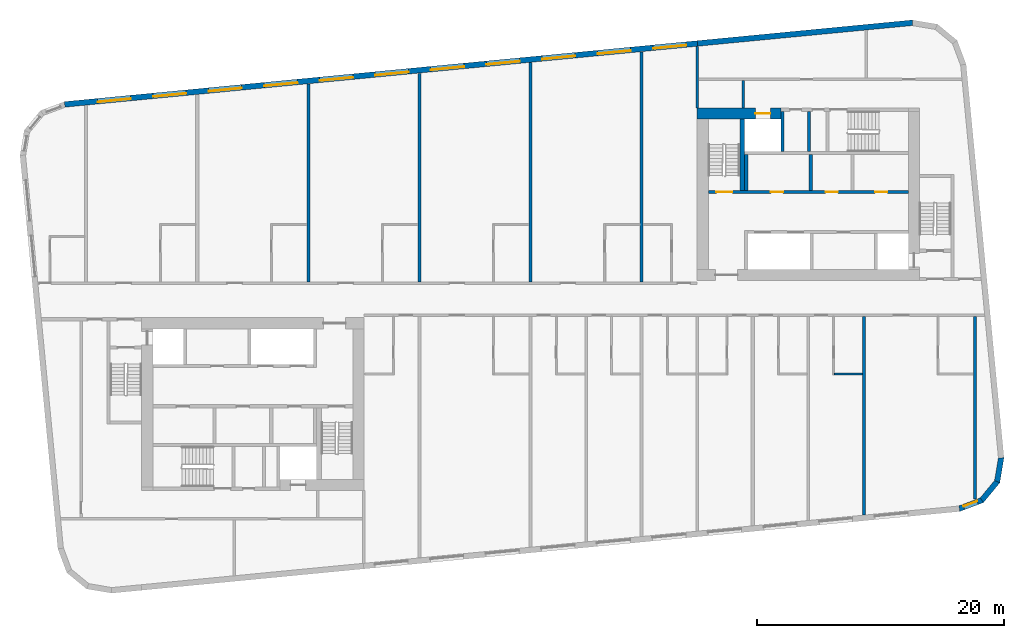
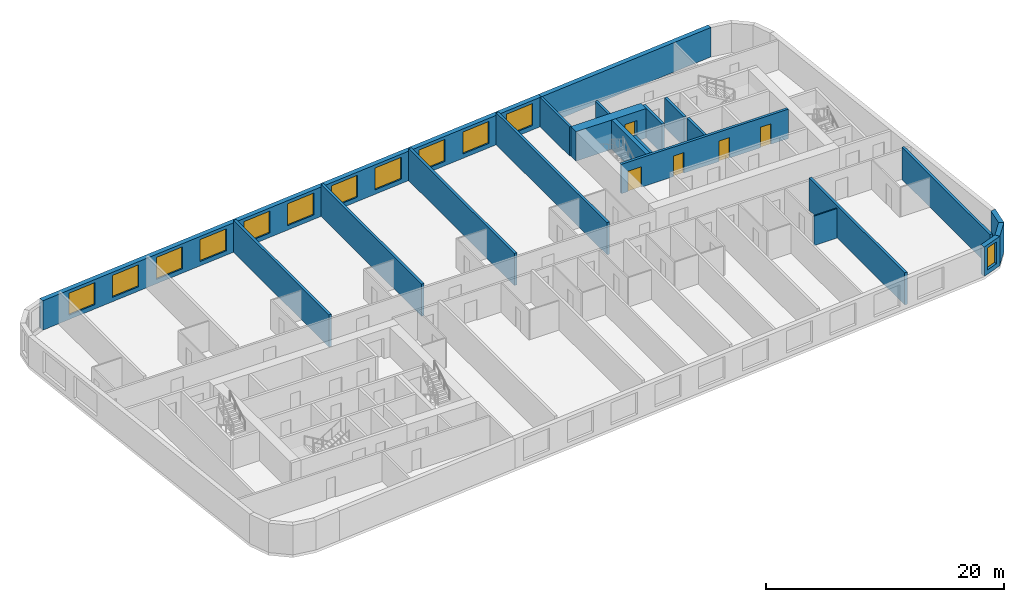
# One storey, part 6 of 11: 21 walls, 12 windows, 5 doors, 17 openings.
"""IFC4 building model written with IfcOpenShell, lengths in metres."""

from ifc_helpers import new_model, si_unit, direction, frame, frame_2d, origin, place, context, subcontext, project, spatial, polyline, rectangle, outline, extrude, material, layer, layer_set, type_object, element, fill, save


model = new_model("IFC4")

# Units and contexts
model_context = context("Model", 3, precision=1e-05, world=origin(), true_north=direction((0.0, 1.0)))
body_context = subcontext(model_context, "Body", "Model", "MODEL_VIEW")
ifc_project = project(units=[si_unit("LENGTHUNIT", "METRE"), si_unit("AREAUNIT", "SQUARE_METRE"), si_unit("VOLUMEUNIT", "CUBIC_METRE"), si_unit("PLANEANGLEUNIT", "RADIAN"), si_unit("MASSUNIT", "GRAM", prefix="KILO")], contexts=[model_context])

# Site, building, storey
site_placement = place(None, origin())
site = spatial("IfcSite", under=ifc_project, at=site_placement, CompositionType="ELEMENT")
building_placement = place(site_placement, origin())
building = spatial("IfcBuilding", under=site, at=building_placement, Name="Kajstack Hotel Tower", CompositionType="ELEMENT")
storey_placement = place(building_placement, frame((0.0, 0.0, 281.699951171875)))
storey = spatial("IfcBuildingStorey", under=building, at=storey_placement, Name="L70", CompositionType="ELEMENT", Elevation=281.699951171875)

# Wall, opening, door
ifc_material_1 = material(Name="Concrete C60/75", Category="concrete")
ifc_layer_1 = layer(ifc_material_1, 0.89990234375)
ifc_layer_set_1 = layer_set([ifc_layer_1], Name="Core wall 900")
wall_type_1 = type_object("IfcWallType", Name="Core wall 900", PredefinedType="SHEAR", material=ifc_layer_set_1)
wall_1_placement = place(storey_placement, frame((13.5, 15.050048828125, 0.0), z_axis=(0.0, 0.0, 1.0), x_axis=(1.0, 0.0, 0.0)))
wall_1 = element("IfcWall", 1, at=wall_1_placement, inside=storey, type_object=wall_type_1, Name="Core wall E RS", PredefinedType="SHEAR", context=body_context, shape_type="SweptSolid", body=[
    extrude(rectangle(XDim=6.800048828125, YDim=0.89990234375, at=frame_2d((3.39990234375, 0.0))), origin(), (0.0, 0.0, 1.0), 3.02001953125),
])
opening_1_placement = place(wall_1_placement, frame((4.72509765625, 0.0, 0.0)))
opening_1 = element("IfcOpeningElement", 2, at=opening_1_placement, cuts=wall_1, Name="Opening LD-SV2", PredefinedType="OPENING", context=body_context, shape_type="SweptSolid", body=[
    extrude(rectangle(XDim=1.199951171875, YDim=2.10009765625, at=frame_2d((0.60009765625, 1.050048828125))), frame((0.0, 0.4599609375, 0.0), z_axis=(0.0, -1.0, 0.0), x_axis=(1.0, 0.0, 0.0)), (0.0, 0.0, 1.0), 0.919921875),
])
ifc_material_2 = material(Name="Stainless steel", Category="steel")
door_type_1 = type_object("IfcDoorType", Name="Lift landing door 1200", OperationType="SLIDING_TO_LEFT", PredefinedType="DOOR", material=ifc_material_2)
door_1_placement = place(opening_1_placement, origin())
door_1 = element("IfcDoor", 3, at=door_1_placement, inside=storey, type_object=door_type_1, Name="Landing door SV2", OperationType="SLIDING_TO_LEFT", OverallHeight=2.10009765625, OverallWidth=1.199951171875, PredefinedType="DOOR", context=body_context, shape_type="SweptSolid", body=[
    extrude(rectangle(XDim=1.199951171875, YDim=2.10009765625, at=frame_2d((0.60009765625, 1.050048828125))), frame((0.0, 0.02490234375, 0.0), z_axis=(0.0, -1.0, 0.0), x_axis=(1.0, 0.0, 0.0)), (0.0, 0.0, 1.0), 0.050048828125),
])
fill(opening_1, door_1)

# Walls
ifc_material_3 = material(Name="Twin-frame gypsum board on steel studs, mineral wool", Category="steel")
ifc_layer_2 = layer(ifc_material_3, 0.199951171875)
ifc_layer_set_2 = layer_set([ifc_layer_2], Name="Demising wall 200")
wall_type_2 = type_object("IfcWallType", Name="Demising wall 200", PredefinedType="PARTITIONING", material=ifc_layer_set_2)
wall_2_placement = place(storey_placement, frame((13.5, 15.5, 0.0), z_axis=(0.0, 0.0, 1.0), x_axis=(0.0, 1.0, 0.0)))
element("IfcWall", 4, at=wall_2_placement, inside=storey, type_object=wall_type_2, Name="G-wall-L70-001", PredefinedType="PARTITIONING", context=body_context, shape_type="SweptSolid", body=[
    extrude(rectangle(XDim=4.985107421875, YDim=0.199951171875, at=frame_2d((2.49267578125, 0.0))), origin(), (0.0, 0.0, 1.0), 3.02001953125),
])
ifc_material_4 = material(Name="Concrete C40/50", Category="concrete")
ifc_layer_3 = layer(ifc_material_4, 0.449951171875)
ifc_layer_set_3 = layer_set([ifc_layer_3], Name="EW-CORE")
wall_type_3 = type_object("IfcWallType", Name="EW-CORE", PredefinedType="SOLIDWALL", material=ifc_layer_set_3)
wall_3_placement = place(storey_placement, frame((30.94580078125, 22.390625, 0.0), z_axis=(0.0, 0.0, 1.0), x_axis=(-0.995396397117, -0.095843688398, 0.0)))
element("IfcWall", 5, at=wall_3_placement, inside=storey, type_object=wall_type_3, Name="E-wall-L70-12-00", PredefinedType="SOLIDWALL", context=body_context, shape_type="SweptSolid", body=[
    extrude(rectangle(XDim=17.5048828125, YDim=0.449951171875, at=frame_2d((8.75244140625, 0.0))), origin(), (0.0, 0.0, 1.0), 3.02001953125),
])

# Wall, opening, window
ifc_material_5 = material(Name="Terracotta-faced brick masonry", Category="masonry")
ifc_layer_4 = layer(ifc_material_5, 0.449951171875)
ifc_layer_set_4 = layer_set([ifc_layer_4], Name="EW-TERRA")
wall_type_4 = type_object("IfcWallType", Name="EW-TERRA", PredefinedType="SOLIDWALL", material=ifc_layer_set_4)
wall_4_placement = place(storey_placement, frame((34.67919921875, -16.990478515625, 0.0), z_axis=(0.0, 0.0, 1.0), x_axis=(0.936677599948, 0.350192909346, 0.0)))
wall_4 = element("IfcWall", 6, at=wall_4_placement, inside=storey, type_object=wall_type_4, Name="E-wall-L70-05-00", PredefinedType="SOLIDWALL", context=body_context, shape_type="SweptSolid", body=[
    extrude(outline(polyline([(0.0, -0.22509765625), (2.070556640625, -0.22509765625), (1.949951171875, 0.22509765625), (0.12060546875, 0.22509765625), (0.0, -0.22509765625)])), origin(), (0.0, 0.0, 1.0), 3.02001953125),
])
opening_2_placement = place(wall_4_placement, frame((0.435302734375, 0.0, 0.449951171875)))
opening_2 = element("IfcOpeningElement", 7, at=opening_2_placement, cuts=wall_4, Name="Opening W3", PredefinedType="OPENING", context=body_context, shape_type="SweptSolid", body=[
    extrude(rectangle(XDim=1.199951171875, YDim=2.25, at=frame_2d((0.60009765625, 1.125))), frame((0.0, 0.23486328125, 0.0), z_axis=(0.0, -1.0, 0.0), x_axis=(1.0, 0.0, 0.0)), (0.0, 0.0, 1.0), 0.469970703125),
])
ifc_material_6 = material(Name="Timber-aluminium window, triple glazed", Category="wood")
window_type_1 = type_object("IfcWindowType", Name="WG3", PartitioningType="SINGLE_PANEL", PredefinedType="WINDOW", material=ifc_material_6)
window_1_placement = place(opening_2_placement, origin())
window_1 = element("IfcWindow", 8, at=window_1_placement, inside=storey, type_object=window_type_1, Name="Window W3 L70-05", OverallHeight=2.25, OverallWidth=1.199951171875, PartitioningType="SINGLE_PANEL", PredefinedType="WINDOW", context=body_context, shape_type="SweptSolid", body=[
    extrude(rectangle(XDim=1.199951171875, YDim=2.25, at=frame_2d((0.60009765625, 1.125))), frame((0.0, 0.090087890625, 0.0), z_axis=(0.0, -1.0, 0.0), x_axis=(1.0, 0.0, 0.0)), (0.0, 0.0, 1.0), 0.06005859375),
])
fill(opening_2, window_1)

# Walls
wall_5_placement = place(storey_placement, frame((36.52392578125, -16.3330078125, 0.0), z_axis=(0.0, 0.0, 1.0), x_axis=(0.636046112757, 0.771651049663, 0.0)))
element("IfcWall", 9, at=wall_5_placement, inside=storey, type_object=wall_type_4, Name="E-wall-L70-06-00", PredefinedType="SOLIDWALL", context=body_context, shape_type="SweptSolid", body=[
    extrude(outline(polyline([(0.0, -0.224853515625), (2.070556640625, -0.22509765625), (1.949951171875, 0.22509765625), (0.12060546875, 0.22509765625), (0.0, -0.224853515625)])), origin(), (0.0, 0.0, 1.0), 3.02001953125),
])
wall_6_placement = place(storey_placement, frame((37.79248046875, -14.84130859375, 0.0), z_axis=(0.0, 0.0, 1.0), x_axis=(0.165068144653, 0.986282164302, 0.0)))
element("IfcWall", 10, at=wall_6_placement, inside=storey, type_object=wall_type_4, Name="E-wall-L70-07-00", PredefinedType="SOLIDWALL", context=body_context, shape_type="SweptSolid", body=[
    extrude(outline(polyline([(0.0, -0.22509765625), (2.070556640625, -0.22509765625), (1.949951171875, 0.224853515625), (0.12060546875, 0.224853515625), (0.0, -0.22509765625)])), origin(), (0.0, 0.0, 1.0), 3.02001953125),
])

# Wall, openings, windows
wall_7_placement = place(storey_placement, frame((13.521484375, 20.712890625, 0.0), z_axis=(0.0, 0.0, 1.0), x_axis=(-0.995396277313, -0.095844932638, 0.0)))
wall_7 = element("IfcWall", 11, at=wall_7_placement, inside=storey, type_object=wall_type_4, Name="E-wall-L70-12-01", PredefinedType="SOLIDWALL", context=body_context, shape_type="SweptSolid", body=[
    extrude(rectangle(XDim=51.4951171875, YDim=0.449951171875, at=frame_2d((25.74755859375, 0.0))), origin(), (0.0, 0.0, 1.0), 3.02001953125),
])
opening_3_placement = place(wall_7_placement, frame((0.910400390625, 0.0, 0.449951171875)))
opening_3 = element("IfcOpeningElement", 12, at=opening_3_placement, cuts=wall_7, Name="Opening W1", PredefinedType="OPENING", context=body_context, shape_type="SweptSolid", body=[
    extrude(rectangle(XDim=2.699951171875, YDim=2.25, at=frame_2d((1.35009765625, 1.125))), frame((0.0, 0.23486328125, 0.0), z_axis=(0.0, -1.0, 0.0), x_axis=(1.0, 0.0, 0.0)), (0.0, 0.0, 1.0), 0.469970703125),
])
opening_4_placement = place(wall_7_placement, frame((5.43115234375, 0.0, 0.449951171875)))
opening_4 = element("IfcOpeningElement", 13, at=opening_4_placement, cuts=wall_7, Name="Opening W1", PredefinedType="OPENING", context=body_context, shape_type="SweptSolid", body=[
    extrude(rectangle(XDim=2.699951171875, YDim=2.25, at=frame_2d((1.35009765625, 1.125))), frame((0.0, 0.23486328125, 0.0), z_axis=(0.0, -1.0, 0.0), x_axis=(1.0, 0.0, 0.0)), (0.0, 0.0, 1.0), 0.469970703125),
])
opening_5_placement = place(wall_7_placement, frame((9.951904296875, 0.0, 0.449951171875)))
opening_5 = element("IfcOpeningElement", 14, at=opening_5_placement, cuts=wall_7, Name="Opening W1", PredefinedType="OPENING", context=body_context, shape_type="SweptSolid", body=[
    extrude(rectangle(XDim=2.699951171875, YDim=2.25, at=frame_2d((1.35009765625, 1.125))), frame((0.0, 0.23486328125, 0.0), z_axis=(0.0, -1.0, 0.0), x_axis=(1.0, 0.0, 0.0)), (0.0, 0.0, 1.0), 0.469970703125),
])
opening_6_placement = place(wall_7_placement, frame((14.472900390625, 0.0, 0.449951171875)))
opening_6 = element("IfcOpeningElement", 15, at=opening_6_placement, cuts=wall_7, Name="Opening W1", PredefinedType="OPENING", context=body_context, shape_type="SweptSolid", body=[
    extrude(rectangle(XDim=2.699951171875, YDim=2.25, at=frame_2d((1.35009765625, 1.125))), frame((0.0, 0.23486328125, 0.0), z_axis=(0.0, -1.0, 0.0), x_axis=(1.0, 0.0, 0.0)), (0.0, 0.0, 1.0), 0.469970703125),
])
opening_7_placement = place(wall_7_placement, frame((18.99365234375, 0.0, 0.449951171875)))
opening_7 = element("IfcOpeningElement", 16, at=opening_7_placement, cuts=wall_7, Name="Opening W1", PredefinedType="OPENING", context=body_context, shape_type="SweptSolid", body=[
    extrude(rectangle(XDim=2.699951171875, YDim=2.25, at=frame_2d((1.35009765625, 1.125))), frame((0.0, 0.23486328125, 0.0), z_axis=(0.0, -1.0, 0.0), x_axis=(1.0, 0.0, 0.0)), (0.0, 0.0, 1.0), 0.469970703125),
])
opening_8_placement = place(wall_7_placement, frame((23.514404296875, 0.0, 0.449951171875)))
opening_8 = element("IfcOpeningElement", 17, at=opening_8_placement, cuts=wall_7, Name="Opening W1", PredefinedType="OPENING", context=body_context, shape_type="SweptSolid", body=[
    extrude(rectangle(XDim=2.699951171875, YDim=2.25, at=frame_2d((1.35009765625, 1.125))), frame((0.0, 0.23486328125, 0.0), z_axis=(0.0, -1.0, 0.0), x_axis=(1.0, 0.0, 0.0)), (0.0, 0.0, 1.0), 0.469970703125),
])
opening_9_placement = place(wall_7_placement, frame((28.035400390625, 0.0, 0.449951171875)))
opening_9 = element("IfcOpeningElement", 18, at=opening_9_placement, cuts=wall_7, Name="Opening W1", PredefinedType="OPENING", context=body_context, shape_type="SweptSolid", body=[
    extrude(rectangle(XDim=2.699951171875, YDim=2.25, at=frame_2d((1.35009765625, 1.125))), frame((0.0, 0.23486328125, 0.0), z_axis=(0.0, -1.0, 0.0), x_axis=(1.0, 0.0, 0.0)), (0.0, 0.0, 1.0), 0.469970703125),
])
opening_10_placement = place(wall_7_placement, frame((32.55615234375, 0.0, 0.449951171875)))
opening_10 = element("IfcOpeningElement", 19, at=opening_10_placement, cuts=wall_7, Name="Opening W1", PredefinedType="OPENING", context=body_context, shape_type="SweptSolid", body=[
    extrude(rectangle(XDim=2.699951171875, YDim=2.25, at=frame_2d((1.35009765625, 1.125))), frame((0.0, 0.23486328125, 0.0), z_axis=(0.0, -1.0, 0.0), x_axis=(1.0, 0.0, 0.0)), (0.0, 0.0, 1.0), 0.469970703125),
])
opening_11_placement = place(wall_7_placement, frame((37.076904296875, 0.0, 0.449951171875)))
opening_11 = element("IfcOpeningElement", 20, at=opening_11_placement, cuts=wall_7, Name="Opening W1", PredefinedType="OPENING", context=body_context, shape_type="SweptSolid", body=[
    extrude(rectangle(XDim=2.699951171875, YDim=2.25, at=frame_2d((1.35009765625, 1.125))), frame((0.0, 0.23486328125, 0.0), z_axis=(0.0, -1.0, 0.0), x_axis=(1.0, 0.0, 0.0)), (0.0, 0.0, 1.0), 0.469970703125),
])
opening_12_placement = place(wall_7_placement, frame((41.59765625, 0.0, 0.449951171875)))
opening_12 = element("IfcOpeningElement", 21, at=opening_12_placement, cuts=wall_7, Name="Opening W1", PredefinedType="OPENING", context=body_context, shape_type="SweptSolid", body=[
    extrude(rectangle(XDim=2.699951171875, YDim=2.25, at=frame_2d((1.35009765625, 1.125))), frame((0.0, 0.23486328125, 0.0), z_axis=(0.0, -1.0, 0.0), x_axis=(1.0, 0.0, 0.0)), (0.0, 0.0, 1.0), 0.469970703125),
])
opening_13_placement = place(wall_7_placement, frame((46.118408203125, 0.0, 0.449951171875)))
opening_13 = element("IfcOpeningElement", 22, at=opening_13_placement, cuts=wall_7, Name="Opening W1", PredefinedType="OPENING", context=body_context, shape_type="SweptSolid", body=[
    extrude(rectangle(XDim=2.699951171875, YDim=2.25, at=frame_2d((1.35009765625, 1.125))), frame((0.0, 0.23486328125, 0.0), z_axis=(0.0, -1.0, 0.0), x_axis=(1.0, 0.0, 0.0)), (0.0, 0.0, 1.0), 0.469970703125),
])
window_type_2 = type_object("IfcWindowType", Name="WG1", PartitioningType="SINGLE_PANEL", PredefinedType="WINDOW", material=ifc_material_6)
window_2_placement = place(opening_3_placement, origin())
window_2 = element("IfcWindow", 23, at=window_2_placement, inside=storey, type_object=window_type_2, Name="Window W1 L70-12", OverallHeight=2.25, OverallWidth=2.699951171875, PartitioningType="SINGLE_PANEL", PredefinedType="WINDOW", context=body_context, shape_type="SweptSolid", body=[
    extrude(rectangle(XDim=2.699951171875, YDim=2.25, at=frame_2d((1.35009765625, 1.125))), frame((0.0, 0.090087890625, 0.0), z_axis=(0.0, -1.0, 0.0), x_axis=(1.0, 0.0, 0.0)), (0.0, 0.0, 1.0), 0.06005859375),
])
fill(opening_3, window_2)
window_3_placement = place(opening_4_placement, origin())
window_3 = element("IfcWindow", 24, at=window_3_placement, inside=storey, type_object=window_type_2, Name="Window W1 L70-12", OverallHeight=2.25, OverallWidth=2.699951171875, PartitioningType="SINGLE_PANEL", PredefinedType="WINDOW", context=body_context, shape_type="SweptSolid", body=[
    extrude(rectangle(XDim=2.699951171875, YDim=2.25, at=frame_2d((1.35009765625, 1.125))), frame((0.0, 0.090087890625, 0.0), z_axis=(0.0, -1.0, 0.0), x_axis=(1.0, 0.0, 0.0)), (0.0, 0.0, 1.0), 0.06005859375),
])
fill(opening_4, window_3)
window_4_placement = place(opening_5_placement, origin())
window_4 = element("IfcWindow", 25, at=window_4_placement, inside=storey, type_object=window_type_2, Name="Window W1 L70-12", OverallHeight=2.25, OverallWidth=2.699951171875, PartitioningType="SINGLE_PANEL", PredefinedType="WINDOW", context=body_context, shape_type="SweptSolid", body=[
    extrude(rectangle(XDim=2.699951171875, YDim=2.25, at=frame_2d((1.35009765625, 1.125))), frame((0.0, 0.090087890625, 0.0), z_axis=(0.0, -1.0, 0.0), x_axis=(1.0, 0.0, 0.0)), (0.0, 0.0, 1.0), 0.06005859375),
])
fill(opening_5, window_4)
window_5_placement = place(opening_6_placement, origin())
window_5 = element("IfcWindow", 26, at=window_5_placement, inside=storey, type_object=window_type_2, Name="Window W1 L70-12", OverallHeight=2.25, OverallWidth=2.699951171875, PartitioningType="SINGLE_PANEL", PredefinedType="WINDOW", context=body_context, shape_type="SweptSolid", body=[
    extrude(rectangle(XDim=2.699951171875, YDim=2.25, at=frame_2d((1.35009765625, 1.125))), frame((0.0, 0.090087890625, 0.0), z_axis=(0.0, -1.0, 0.0), x_axis=(1.0, 0.0, 0.0)), (0.0, 0.0, 1.0), 0.06005859375),
])
fill(opening_6, window_5)
window_6_placement = place(opening_7_placement, origin())
window_6 = element("IfcWindow", 27, at=window_6_placement, inside=storey, type_object=window_type_2, Name="Window W1 L70-12", OverallHeight=2.25, OverallWidth=2.699951171875, PartitioningType="SINGLE_PANEL", PredefinedType="WINDOW", context=body_context, shape_type="SweptSolid", body=[
    extrude(rectangle(XDim=2.699951171875, YDim=2.25, at=frame_2d((1.35009765625, 1.125))), frame((0.0, 0.090087890625, 0.0), z_axis=(0.0, -1.0, 0.0), x_axis=(1.0, 0.0, 0.0)), (0.0, 0.0, 1.0), 0.06005859375),
])
fill(opening_7, window_6)
window_7_placement = place(opening_8_placement, origin())
window_7 = element("IfcWindow", 28, at=window_7_placement, inside=storey, type_object=window_type_2, Name="Window W1 L70-12", OverallHeight=2.25, OverallWidth=2.699951171875, PartitioningType="SINGLE_PANEL", PredefinedType="WINDOW", context=body_context, shape_type="SweptSolid", body=[
    extrude(rectangle(XDim=2.699951171875, YDim=2.25, at=frame_2d((1.35009765625, 1.125))), frame((0.0, 0.090087890625, 0.0), z_axis=(0.0, -1.0, 0.0), x_axis=(1.0, 0.0, 0.0)), (0.0, 0.0, 1.0), 0.06005859375),
])
fill(opening_8, window_7)
window_8_placement = place(opening_9_placement, origin())
window_8 = element("IfcWindow", 29, at=window_8_placement, inside=storey, type_object=window_type_2, Name="Window W1 L70-12", OverallHeight=2.25, OverallWidth=2.699951171875, PartitioningType="SINGLE_PANEL", PredefinedType="WINDOW", context=body_context, shape_type="SweptSolid", body=[
    extrude(rectangle(XDim=2.699951171875, YDim=2.25, at=frame_2d((1.35009765625, 1.125))), frame((0.0, 0.090087890625, 0.0), z_axis=(0.0, -1.0, 0.0), x_axis=(1.0, 0.0, 0.0)), (0.0, 0.0, 1.0), 0.06005859375),
])
fill(opening_9, window_8)
window_9_placement = place(opening_10_placement, origin())
window_9 = element("IfcWindow", 30, at=window_9_placement, inside=storey, type_object=window_type_2, Name="Window W1 L70-12", OverallHeight=2.25, OverallWidth=2.699951171875, PartitioningType="SINGLE_PANEL", PredefinedType="WINDOW", context=body_context, shape_type="SweptSolid", body=[
    extrude(rectangle(XDim=2.699951171875, YDim=2.25, at=frame_2d((1.35009765625, 1.125))), frame((0.0, 0.090087890625, 0.0), z_axis=(0.0, -1.0, 0.0), x_axis=(1.0, 0.0, 0.0)), (0.0, 0.0, 1.0), 0.06005859375),
])
fill(opening_10, window_9)
window_10_placement = place(opening_11_placement, origin())
window_10 = element("IfcWindow", 31, at=window_10_placement, inside=storey, type_object=window_type_2, Name="Window W1 L70-12", OverallHeight=2.25, OverallWidth=2.699951171875, PartitioningType="SINGLE_PANEL", PredefinedType="WINDOW", context=body_context, shape_type="SweptSolid", body=[
    extrude(rectangle(XDim=2.699951171875, YDim=2.25, at=frame_2d((1.35009765625, 1.125))), frame((0.0, 0.090087890625, 0.0), z_axis=(0.0, -1.0, 0.0), x_axis=(1.0, 0.0, 0.0)), (0.0, 0.0, 1.0), 0.06005859375),
])
fill(opening_11, window_10)
window_11_placement = place(opening_12_placement, origin())
window_11 = element("IfcWindow", 32, at=window_11_placement, inside=storey, type_object=window_type_2, Name="Window W1 L70-12", OverallHeight=2.25, OverallWidth=2.699951171875, PartitioningType="SINGLE_PANEL", PredefinedType="WINDOW", context=body_context, shape_type="SweptSolid", body=[
    extrude(rectangle(XDim=2.699951171875, YDim=2.25, at=frame_2d((1.35009765625, 1.125))), frame((0.0, 0.090087890625, 0.0), z_axis=(0.0, -1.0, 0.0), x_axis=(1.0, 0.0, 0.0)), (0.0, 0.0, 1.0), 0.06005859375),
])
fill(opening_12, window_11)
window_12_placement = place(opening_13_placement, origin())
window_12 = element("IfcWindow", 33, at=window_12_placement, inside=storey, type_object=window_type_2, Name="Window W1 L70-12", OverallHeight=2.25, OverallWidth=2.699951171875, PartitioningType="SINGLE_PANEL", PredefinedType="WINDOW", context=body_context, shape_type="SweptSolid", body=[
    extrude(rectangle(XDim=2.699951171875, YDim=2.25, at=frame_2d((1.35009765625, 1.125))), frame((0.0, 0.090087890625, 0.0), z_axis=(0.0, -1.0, 0.0), x_axis=(1.0, 0.0, 0.0)), (0.0, 0.0, 1.0), 0.06005859375),
])
fill(opening_13, window_12)

# Walls
ifc_material_7 = material(Name="Gypsum board and tiled backer on steel studs", Category="steel")
ifc_layer_5 = layer(ifc_material_7, 0.125)
ifc_layer_set_5 = layer_set([ifc_layer_5], Name="En-suite wall 125")
wall_type_5 = type_object("IfcWallType", Name="En-suite wall 125", PredefinedType="PARTITIONING", material=ifc_layer_set_5)
wall_8_placement = place(storey_placement, frame((24.625, -6.06201171875, 0.0), z_axis=(0.0, 0.0, 1.0), x_axis=(1.0, 0.0, 0.0)))
element("IfcWall", 34, at=wall_8_placement, inside=storey, type_object=wall_type_5, Name="G-wall-L70-037", PredefinedType="PARTITIONING", context=body_context, shape_type="SweptSolid", body=[
    extrude(rectangle(XDim=2.25, YDim=0.125, at=frame_2d((1.125, 0.0))), origin(), (0.0, 0.0, 1.0), 3.02001953125),
])
ifc_layer_6 = layer(ifc_material_4, 0.25)
ifc_layer_set_6 = layer_set([ifc_layer_6], Name="RC cross wall 250 C40/50")
wall_type_6 = type_object("IfcWallType", Name="RC cross wall 250 C40/50", PredefinedType="SHEAR", material=ifc_layer_set_6)
wall_9_placement = place(storey_placement, frame((-18.0, 1.39990234375, 0.0), z_axis=(0.0, 0.0, 1.0), x_axis=(0.0, 1.0, 0.0)))
element("IfcWall", 35, at=wall_9_placement, inside=storey, type_object=wall_type_6, Name="S-wall-L70-03", PredefinedType="SHEAR", context=body_context, shape_type="SweptSolid", body=[
    extrude(rectangle(XDim=16.029541015625, YDim=0.25, at=frame_2d((8.0146484375, 0.0))), origin(), (0.0, 0.0, 1.0), 3.300048828125),
])
wall_10_placement = place(storey_placement, frame((-9.0, 1.39990234375, 0.0), z_axis=(0.0, 0.0, 1.0), x_axis=(0.0, 1.0, 0.0)))
element("IfcWall", 36, at=wall_10_placement, inside=storey, type_object=wall_type_6, Name="S-wall-L70-05", PredefinedType="SHEAR", context=body_context, shape_type="SweptSolid", body=[
    extrude(rectangle(XDim=16.896240234375, YDim=0.25, at=frame_2d((8.4482421875, 0.0))), origin(), (0.0, 0.0, 1.0), 3.300048828125),
])
wall_11_placement = place(storey_placement, frame((0.0, 1.39990234375, 0.0), z_axis=(0.0, 0.0, 1.0), x_axis=(0.0, 1.0, 0.0)))
element("IfcWall", 37, at=wall_11_placement, inside=storey, type_object=wall_type_6, Name="S-wall-L70-07", PredefinedType="SHEAR", context=body_context, shape_type="SweptSolid", body=[
    extrude(rectangle(XDim=17.7626953125, YDim=0.25, at=frame_2d((8.88134765625, 0.0))), origin(), (0.0, 0.0, 1.0), 3.300048828125),
])
wall_12_placement = place(storey_placement, frame((9.0, 1.39990234375, 0.0), z_axis=(0.0, 0.0, 1.0), x_axis=(0.0, 1.0, 0.0)))
element("IfcWall", 38, at=wall_12_placement, inside=storey, type_object=wall_type_6, Name="S-wall-L70-09", PredefinedType="SHEAR", context=body_context, shape_type="SweptSolid", body=[
    extrude(rectangle(XDim=18.62939453125, YDim=0.25, at=frame_2d((9.314697265625, 0.0))), origin(), (0.0, 0.0, 1.0), 3.300048828125),
])
wall_13_placement = place(storey_placement, frame((27.0, -17.47412109375, 0.0), z_axis=(0.0, 0.0, 1.0), x_axis=(0.0, 1.0, 0.0)))
element("IfcWall", 39, at=wall_13_placement, inside=storey, type_object=wall_type_6, Name="S-wall-L70-11", PredefinedType="SHEAR", context=body_context, shape_type="SweptSolid", body=[
    extrude(rectangle(XDim=16.07421875, YDim=0.25, at=frame_2d((8.037109375, 0.0))), origin(), (0.0, 0.0, 1.0), 3.300048828125),
])
wall_14_placement = place(storey_placement, frame((36.0, -16.198974609375, 0.0), z_axis=(0.0, 0.0, 1.0), x_axis=(0.0, 1.0, 0.0)))
element("IfcWall", 40, at=wall_14_placement, inside=storey, type_object=wall_type_6, Name="S-wall-L70-12", PredefinedType="SHEAR", context=body_context, shape_type="SweptSolid", body=[
    extrude(rectangle(XDim=14.799072265625, YDim=0.25, at=frame_2d((7.3994140625, 0.0))), origin(), (0.0, 0.0, 1.0), 3.300048828125),
])
ifc_material_8 = material(Name="Concrete block masonry", Category="masonry")
ifc_layer_7 = layer(ifc_material_8, 0.25)
ifc_layer_set_7 = layer_set([ifc_layer_7], Name="Riser partition 250")
wall_type_7 = type_object("IfcWallType", Name="Riser partition 250", PredefinedType="PARTITIONING", material=ifc_layer_set_7)
wall_15_placement = place(storey_placement, frame((22.699951171875, 8.800048828125, 0.0), z_axis=(0.0, 0.0, 1.0), x_axis=(0.0, 1.0, 0.0)))
element("IfcWall", 41, at=wall_15_placement, inside=storey, type_object=wall_type_7, Name="Partition E BF1", PredefinedType="PARTITIONING", context=body_context, shape_type="SweptSolid", body=[
    extrude(rectangle(XDim=2.89990234375, YDim=0.25, at=frame_2d((1.449951171875, 0.0))), origin(), (0.0, 0.0, 1.0), 3.02001953125),
])
wall_16_placement = place(storey_placement, frame((22.550048828125, 11.949951171875, 0.0), z_axis=(0.0, 0.0, 1.0), x_axis=(0.0, 1.0, 0.0)))
element("IfcWall", 42, at=wall_16_placement, inside=storey, type_object=wall_type_7, Name="Partition E SZ0", PredefinedType="PARTITIONING", context=body_context, shape_type="SweptSolid", body=[
    extrude(rectangle(XDim=3.25, YDim=0.25, at=frame_2d((1.625, 0.0))), origin(), (0.0, 0.0, 1.0), 3.02001953125),
])
ifc_material_9 = material(Name="Gypsum board on steel studs, mineral wool", Category="steel")
ifc_layer_8 = layer(ifc_material_9, 0.199951171875)
ifc_layer_set_8 = layer_set([ifc_layer_8], Name="Service partition 200")
wall_type_8 = type_object("IfcWallType", Name="Service partition 200", PredefinedType="PARTITIONING", material=ifc_layer_set_8)
wall_17_placement = place(storey_placement, frame((17.25, 15.5, 0.0), z_axis=(0.0, 0.0, 1.0), x_axis=(0.0, 1.0, 0.0)))
element("IfcWall", 43, at=wall_17_placement, inside=storey, type_object=wall_type_8, Name="Partition E SCE", PredefinedType="PARTITIONING", context=body_context, shape_type="SweptSolid", body=[
    extrude(rectangle(XDim=2.199951171875, YDim=0.199951171875, at=frame_2d((1.10009765625, 0.0))), origin(), (0.0, 0.0, 1.0), 3.02001953125),
])

# Wall, openings, doors
ifc_material_10 = material(Name="Concrete C50/60", Category="concrete")
ifc_layer_9 = layer(ifc_material_10, 0.25)
ifc_layer_set_9 = layer_set([ifc_layer_9], Name="Shaft wall 250")
wall_type_9 = type_object("IfcWallType", Name="Shaft wall 250", PredefinedType="SHEAR", material=ifc_layer_set_9)
wall_18_placement = place(storey_placement, frame((14.39990234375, 8.675048828125, 0.0), z_axis=(0.0, 0.0, 1.0), x_axis=(1.0, 0.0, 0.0)))
wall_18 = element("IfcWall", 44, at=wall_18_placement, inside=storey, type_object=wall_type_9, Name="Core wall E FB", PredefinedType="SHEAR", context=body_context, shape_type="SweptSolid", body=[
    extrude(rectangle(XDim=16.2001953125, YDim=0.25, at=frame_2d((8.10009765625, 0.0))), origin(), (0.0, 0.0, 1.0), 3.02001953125),
])
opening_14_placement = place(wall_18_placement, frame((0.64990234375, 0.0, 0.0)))
opening_14 = element("IfcOpeningElement", 45, at=opening_14_placement, cuts=wall_18, Name="Opening 70E09", PredefinedType="OPENING", context=body_context, shape_type="SweptSolid", body=[
    extrude(rectangle(XDim=1.300048828125, YDim=2.10009765625, at=frame_2d((0.64990234375, 1.050048828125))), frame((0.0, 0.135009765625, 0.0), z_axis=(0.0, -1.0, 0.0), x_axis=(1.0, 0.0, 0.0)), (0.0, 0.0, 1.0), 0.27001953125),
])
opening_15_placement = place(wall_18_placement, frame((13.512451171875, 0.0, 0.0)))
opening_15 = element("IfcOpeningElement", 46, at=opening_15_placement, cuts=wall_18, Name="Opening 70E13", PredefinedType="OPENING", context=body_context, shape_type="SweptSolid", body=[
    extrude(rectangle(XDim=1.0, YDim=2.10009765625, at=frame_2d((0.5, 1.050048828125))), frame((0.0, 0.135009765625, 0.0), z_axis=(0.0, -1.0, 0.0), x_axis=(1.0, 0.0, 0.0)), (0.0, 0.0, 1.0), 0.27001953125),
])
opening_16_placement = place(wall_18_placement, frame((9.5, 0.0, 0.0)))
opening_16 = element("IfcOpeningElement", 47, at=opening_16_placement, cuts=wall_18, Name="Opening 70E14", PredefinedType="OPENING", context=body_context, shape_type="SweptSolid", body=[
    extrude(rectangle(XDim=1.0, YDim=2.10009765625, at=frame_2d((0.5, 1.050048828125))), frame((0.0, 0.135009765625, 0.0), z_axis=(0.0, -1.0, 0.0), x_axis=(1.0, 0.0, 0.0)), (0.0, 0.0, 1.0), 0.27001953125),
])
opening_17_placement = place(wall_18_placement, frame((5.0625, 0.0, 0.0)))
opening_17 = element("IfcOpeningElement", 48, at=opening_17_placement, cuts=wall_18, Name="Opening 70E15", PredefinedType="OPENING", context=body_context, shape_type="SweptSolid", body=[
    extrude(rectangle(XDim=1.0, YDim=2.10009765625, at=frame_2d((0.5, 1.050048828125))), frame((0.0, 0.135009765625, 0.0), z_axis=(0.0, -1.0, 0.0), x_axis=(1.0, 0.0, 0.0)), (0.0, 0.0, 1.0), 0.27001953125),
])
ifc_material_11 = material(Name="Timber leaf, fire-rated", Category="wood")
door_type_2 = type_object("IfcDoorType", Name="Service room door 1000", OperationType="SINGLE_SWING_LEFT", PredefinedType="DOOR", material=ifc_material_11)
door_2_placement = place(opening_15_placement, origin())
door_2 = element("IfcDoor", 49, at=door_2_placement, inside=storey, type_object=door_type_2, Name="Door 70E13", OperationType="SINGLE_SWING_LEFT", OverallHeight=2.10009765625, OverallWidth=1.0, PredefinedType="DOOR", context=body_context, shape_type="SweptSolid", body=[
    extrude(rectangle(XDim=1.0, YDim=2.10009765625, at=frame_2d((0.5, 1.050048828125))), frame((0.0, 0.02490234375, 0.0), z_axis=(0.0, -1.0, 0.0), x_axis=(1.0, 0.0, 0.0)), (0.0, 0.0, 1.0), 0.050048828125),
])
fill(opening_15, door_2)
door_3_placement = place(opening_16_placement, origin())
door_3 = element("IfcDoor", 50, at=door_3_placement, inside=storey, type_object=door_type_2, Name="Door 70E14", OperationType="SINGLE_SWING_LEFT", OverallHeight=2.10009765625, OverallWidth=1.0, PredefinedType="DOOR", context=body_context, shape_type="SweptSolid", body=[
    extrude(rectangle(XDim=1.0, YDim=2.10009765625, at=frame_2d((0.5, 1.050048828125))), frame((0.0, 0.02490234375, 0.0), z_axis=(0.0, -1.0, 0.0), x_axis=(1.0, 0.0, 0.0)), (0.0, 0.0, 1.0), 0.050048828125),
])
fill(opening_16, door_3)
door_4_placement = place(opening_17_placement, origin())
door_4 = element("IfcDoor", 51, at=door_4_placement, inside=storey, type_object=door_type_2, Name="Door 70E15", OperationType="SINGLE_SWING_LEFT", OverallHeight=2.10009765625, OverallWidth=1.0, PredefinedType="DOOR", context=body_context, shape_type="SweptSolid", body=[
    extrude(rectangle(XDim=1.0, YDim=2.10009765625, at=frame_2d((0.5, 1.050048828125))), frame((0.0, 0.02490234375, 0.0), z_axis=(0.0, -1.0, 0.0), x_axis=(1.0, 0.0, 0.0)), (0.0, 0.0, 1.0), 0.050048828125),
])
fill(opening_17, door_4)
ifc_material_12 = material(Name="Steel leaf, fire-rated", Category="steel")
door_type_3 = type_object("IfcDoorType", Name="Stair door 1300", OperationType="SINGLE_SWING_LEFT", PredefinedType="DOOR", material=ifc_material_12)
door_5_placement = place(opening_14_placement, origin())
door_5 = element("IfcDoor", 52, at=door_5_placement, inside=storey, type_object=door_type_3, Name="Door 70E09", OperationType="SINGLE_SWING_LEFT", OverallHeight=2.10009765625, OverallWidth=1.300048828125, PredefinedType="DOOR", context=body_context, shape_type="SweptSolid", body=[
    extrude(rectangle(XDim=1.300048828125, YDim=2.10009765625, at=frame_2d((0.64990234375, 1.050048828125))), frame((0.0, 0.02490234375, 0.0), z_axis=(0.0, -1.0, 0.0), x_axis=(1.0, 0.0, 0.0)), (0.0, 0.0, 1.0), 0.050048828125),
])
fill(opening_14, door_5)

# Walls
wall_19_placement = place(storey_placement, frame((17.47509765625, 8.800048828125, 0.0), z_axis=(0.0, 0.0, 1.0), x_axis=(0.0, 1.0, 0.0)))
element("IfcWall", 53, at=wall_19_placement, inside=storey, type_object=wall_type_9, Name="Core wall E BE", PredefinedType="SHEAR", context=body_context, shape_type="SweptSolid", body=[
    extrude(rectangle(XDim=2.89990234375, YDim=0.25, at=frame_2d((1.449951171875, 0.0))), origin(), (0.0, 0.0, 1.0), 3.02001953125),
])
wall_20_placement = place(storey_placement, frame((20.425048828125, 11.949951171875, 0.0), z_axis=(0.0, 0.0, 1.0), x_axis=(0.0, 1.0, 0.0)))
element("IfcWall", 54, at=wall_20_placement, inside=storey, type_object=wall_type_9, Name="Core wall E SVW", PredefinedType="SHEAR", context=body_context, shape_type="SweptSolid", body=[
    extrude(rectangle(XDim=3.25, YDim=0.25, at=frame_2d((1.625, 0.0))), origin(), (0.0, 0.0, 1.0), 3.02001953125),
])
ifc_layer_10 = layer(ifc_material_10, 0.39990234375)
ifc_layer_set_10 = layer_set([ifc_layer_10], Name="Stair wall 400")
wall_type_10 = type_object("IfcWallType", Name="Stair wall 400", PredefinedType="SHEAR", material=ifc_layer_set_10)
wall_21_placement = place(storey_placement, frame((17.14990234375, 8.800048828125, 0.0), z_axis=(0.0, 0.0, 1.0), x_axis=(0.0, 1.0, 0.0)))
element("IfcWall", 55, at=wall_21_placement, inside=storey, type_object=wall_type_10, Name="Core wall E WW2", PredefinedType="SHEAR", context=body_context, shape_type="SweptSolid", body=[
    extrude(rectangle(XDim=5.800048828125, YDim=0.39990234375, at=frame_2d((2.89990234375, 0.0))), origin(), (0.0, 0.0, 1.0), 3.02001953125),
])

save(model, "model.ifc")
